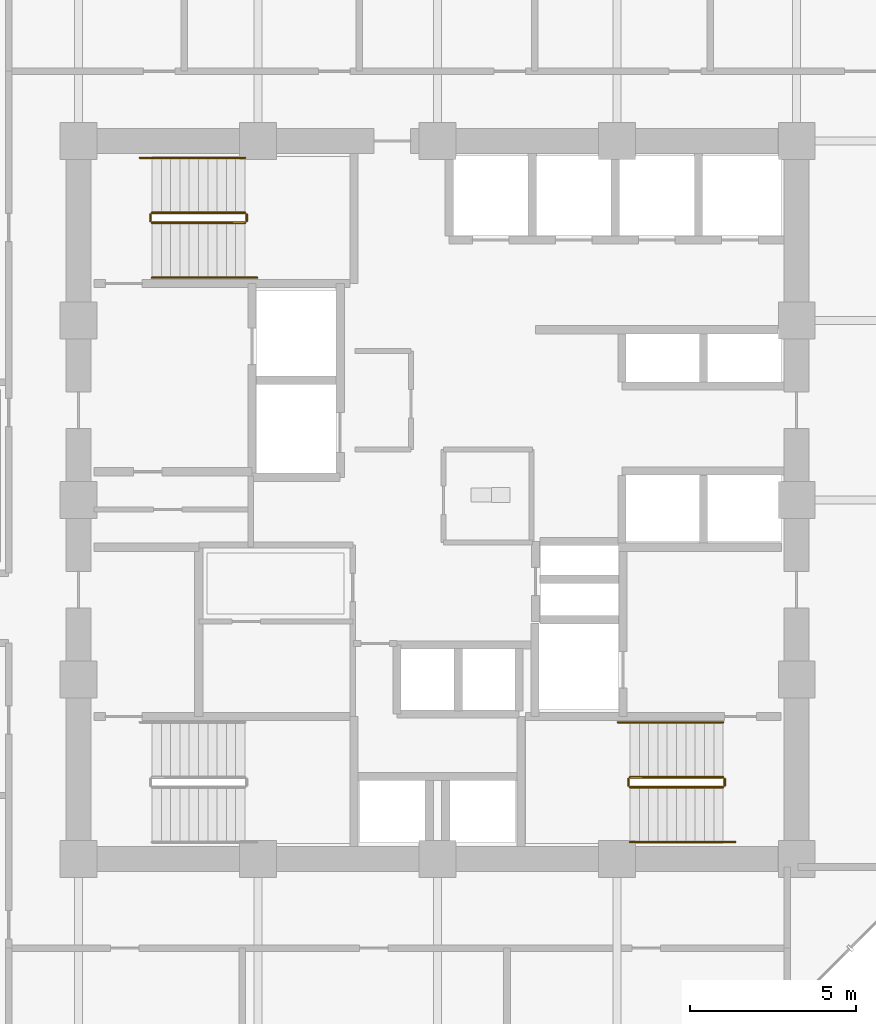
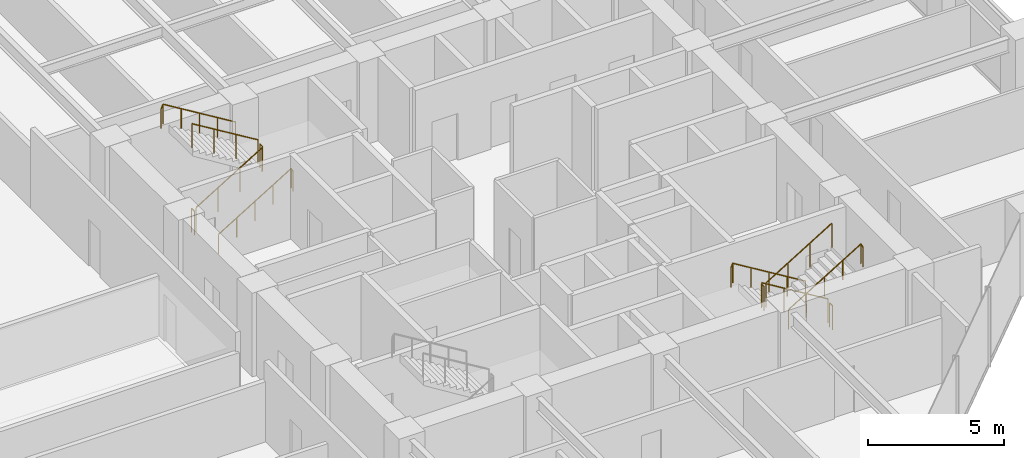
# One storey, part 24 of 25: 12 railings.
"""IFC4 building model written with IfcOpenShell, lengths in metres."""

from ifc_helpers import new_model, si_unit, direction, frame, origin, origin_2d, place, context, subcontext, project, spatial, circle, extrude, material, type_object, element, save


model = new_model("IFC4")

# Units and contexts
model_context = context("Model", 3, precision=1e-05, world=origin(), true_north=direction((0.0, 1.0)))
body_context = subcontext(model_context, "Body", "Model", "MODEL_VIEW")
ifc_project = project(units=[si_unit("LENGTHUNIT", "METRE"), si_unit("AREAUNIT", "SQUARE_METRE"), si_unit("VOLUMEUNIT", "CUBIC_METRE"), si_unit("PLANEANGLEUNIT", "RADIAN"), si_unit("MASSUNIT", "GRAM", prefix="KILO")], contexts=[model_context])

# Site, building, storey
site_placement = place(None, origin())
site = spatial("IfcSite", under=ifc_project, at=site_placement, CompositionType="ELEMENT")
building_placement = place(site_placement, origin())
building = spatial("IfcBuilding", under=site, at=building_placement, Name="Surkhivell Harbour Commons", CompositionType="ELEMENT")
storey_placement = place(building_placement, frame((0.0, 0.0, 117.0)))
storey = spatial("IfcBuildingStorey", under=building, at=storey_placement, Name="L30", CompositionType="ELEMENT", Elevation=117.0)

# Railings
ifc_material_1 = material(Name="Galvanised and painted steel S355 guard rail", Category="steel")
railing_type_1 = type_object("IfcRailingType", Name="RAL-ST-GRD1100", PredefinedType="GUARDRAIL", material=ifc_material_1)
railing_1_placement = place(storey_placement, frame((-8.590087890625, 8.340087890625, 0.17041015625)))
element("IfcRailing", 1, at=railing_1_placement, inside=storey, type_object=railing_type_1, Name="L30 ST1 stair guard 1", PredefinedType="GUARDRAIL", context=body_context, shape_type="SweptSolid", body=[
    extrude(circle(Radius=0.02392578125, at=origin_2d()), frame((0.0, 0.0, 1.076171875), z_axis=(0.854169791009, 0.0, 0.51999420009), x_axis=(0.0, 1.0, 0.0)), (0.0, 0.0, 1.0), 3.278076171875),
    extrude(circle(Radius=0.02099609375, at=origin_2d()), origin(), (0.0, 0.0, 1.0), 1.052001953125),
    extrude(circle(Radius=0.02099609375, at=origin_2d()), frame((0.933349609375, 0.0, 0.568115234375)), (0.0, 0.0, 1.0), 1.052001953125),
    extrude(circle(Radius=0.02099609375, at=origin_2d()), frame((1.86669921875, 0.0, 1.136474609375)), (0.0, 0.0, 1.0), 1.052001953125),
    extrude(circle(Radius=0.02099609375, at=origin_2d()), frame((2.800048828125, 0.0, 1.70458984375)), (0.0, 0.0, 1.0), 1.052001953125),
])
railing_2_placement = place(storey_placement, frame((-5.739990234375, 8.389892578125, 1.875)))
element("IfcRailing", 2, at=railing_2_placement, inside=storey, type_object=railing_type_1, Name="L30 ST1 stair guard 2", PredefinedType="GUARDRAIL", context=body_context, shape_type="SweptSolid", body=[
    extrude(circle(Radius=0.02392578125, at=origin_2d()), frame((0.0, 0.0, 1.076171875), z_axis=(0.0, 1.0, 0.0), x_axis=(-1.0, 0.0, 0.0)), (0.0, 0.0, 1.0), 0.2001953125),
    extrude(circle(Radius=0.02099609375, at=origin_2d()), origin(), (0.0, 0.0, 1.0), 1.052001953125),
    extrude(circle(Radius=0.02099609375, at=origin_2d()), frame((0.0, 0.2001953125, 0.0)), (0.0, 0.0, 1.0), 1.052001953125),
])
railing_3_placement = place(storey_placement, frame((-5.7900390625, 8.639892578125, 2.04541015625)))
element("IfcRailing", 3, at=railing_3_placement, inside=storey, type_object=railing_type_1, Name="L30 ST1 stair guard 3", PredefinedType="GUARDRAIL", context=body_context, shape_type="SweptSolid", body=[
    extrude(circle(Radius=0.02392578125, at=origin_2d()), frame((0.0, 0.0, 1.076171875), z_axis=(-0.854169791009, 0.0, 0.51999420009), x_axis=(0.0, -1.0, 0.0)), (0.0, 0.0, 1.0), 3.278076171875),
    extrude(circle(Radius=0.02099609375, at=origin_2d()), origin(), (0.0, 0.0, 1.0), 1.052001953125),
    extrude(circle(Radius=0.02099609375, at=origin_2d()), frame((-0.933349609375, 0.0, 0.568115234375)), (0.0, 0.0, 1.0), 1.052001953125),
    extrude(circle(Radius=0.02099609375, at=origin_2d()), frame((-1.86669921875, 0.0, 1.136474609375)), (0.0, 0.0, 1.0), 1.052001953125),
    extrude(circle(Radius=0.02099609375, at=origin_2d()), frame((-2.800048828125, 0.0, 1.70458984375)), (0.0, 0.0, 1.0), 1.052001953125),
])
railing_4_placement = place(storey_placement, frame((-8.639892578125, 8.389892578125, 0.0)))
element("IfcRailing", 4, at=railing_4_placement, inside=storey, type_object=railing_type_1, Name="L30 ST1 stair guard 4", PredefinedType="GUARDRAIL", context=body_context, shape_type="SweptSolid", body=[
    extrude(circle(Radius=0.02392578125, at=origin_2d()), frame((0.0, 0.0, 1.076171875), z_axis=(0.0, 1.0, 0.0), x_axis=(-1.0, 0.0, 0.0)), (0.0, 0.0, 1.0), 0.2001953125),
    extrude(circle(Radius=0.02099609375, at=origin_2d()), origin(), (0.0, 0.0, 1.0), 1.052001953125),
    extrude(circle(Radius=0.02099609375, at=origin_2d()), frame((0.0, 0.2001953125, 0.0)), (0.0, 0.0, 1.0), 1.052001953125),
])
railing_5_placement = place(storey_placement, frame((8.590087890625, -8.340087890625, 0.17041015625)))
element("IfcRailing", 5, at=railing_5_placement, inside=storey, type_object=railing_type_1, Name="L30 ST2 stair guard 1", PredefinedType="GUARDRAIL", context=body_context, shape_type="SweptSolid", body=[
    extrude(circle(Radius=0.02392578125, at=origin_2d()), frame((0.0, 0.0, 1.076171875), z_axis=(-0.854169791009, 0.0, 0.51999420009), x_axis=(0.0, -1.0, 0.0)), (0.0, 0.0, 1.0), 3.278076171875),
    extrude(circle(Radius=0.02099609375, at=origin_2d()), origin(), (0.0, 0.0, 1.0), 1.052001953125),
    extrude(circle(Radius=0.02099609375, at=origin_2d()), frame((-0.933349609375, 0.0, 0.568115234375)), (0.0, 0.0, 1.0), 1.052001953125),
    extrude(circle(Radius=0.02099609375, at=origin_2d()), frame((-1.86669921875, 0.0, 1.136474609375)), (0.0, 0.0, 1.0), 1.052001953125),
    extrude(circle(Radius=0.02099609375, at=origin_2d()), frame((-2.800048828125, 0.0, 1.70458984375)), (0.0, 0.0, 1.0), 1.052001953125),
])
railing_6_placement = place(storey_placement, frame((5.739990234375, -8.389892578125, 1.875)))
element("IfcRailing", 6, at=railing_6_placement, inside=storey, type_object=railing_type_1, Name="L30 ST2 stair guard 2", PredefinedType="GUARDRAIL", context=body_context, shape_type="SweptSolid", body=[
    extrude(circle(Radius=0.02392578125, at=origin_2d()), frame((0.0, 0.0, 1.076171875), z_axis=(0.0, -1.0, 0.0), x_axis=(1.0, 0.0, 0.0)), (0.0, 0.0, 1.0), 0.2001953125),
    extrude(circle(Radius=0.02099609375, at=origin_2d()), origin(), (0.0, 0.0, 1.0), 1.052001953125),
    extrude(circle(Radius=0.02099609375, at=origin_2d()), frame((0.0, -0.2001953125, 0.0)), (0.0, 0.0, 1.0), 1.052001953125),
])
railing_7_placement = place(storey_placement, frame((5.7900390625, -8.639892578125, 2.04541015625)))
element("IfcRailing", 7, at=railing_7_placement, inside=storey, type_object=railing_type_1, Name="L30 ST2 stair guard 3", PredefinedType="GUARDRAIL", context=body_context, shape_type="SweptSolid", body=[
    extrude(circle(Radius=0.02392578125, at=origin_2d()), frame((0.0, 0.0, 1.076171875), z_axis=(0.854169791009, 0.0, 0.51999420009), x_axis=(0.0, 1.0, 0.0)), (0.0, 0.0, 1.0), 3.278076171875),
    extrude(circle(Radius=0.02099609375, at=origin_2d()), origin(), (0.0, 0.0, 1.0), 1.052001953125),
    extrude(circle(Radius=0.02099609375, at=origin_2d()), frame((0.933349609375, 0.0, 0.568115234375)), (0.0, 0.0, 1.0), 1.052001953125),
    extrude(circle(Radius=0.02099609375, at=origin_2d()), frame((1.86669921875, 0.0, 1.136474609375)), (0.0, 0.0, 1.0), 1.052001953125),
    extrude(circle(Radius=0.02099609375, at=origin_2d()), frame((2.800048828125, 0.0, 1.70458984375)), (0.0, 0.0, 1.0), 1.052001953125),
])
railing_8_placement = place(storey_placement, frame((8.639892578125, -8.389892578125, 0.0)))
element("IfcRailing", 8, at=railing_8_placement, inside=storey, type_object=railing_type_1, Name="L30 ST2 stair guard 4", PredefinedType="GUARDRAIL", context=body_context, shape_type="SweptSolid", body=[
    extrude(circle(Radius=0.02392578125, at=origin_2d()), frame((0.0, 0.0, 1.076171875), z_axis=(0.0, -1.0, 0.0), x_axis=(1.0, 0.0, 0.0)), (0.0, 0.0, 1.0), 0.2001953125),
    extrude(circle(Radius=0.02099609375, at=origin_2d()), origin(), (0.0, 0.0, 1.0), 1.052001953125),
    extrude(circle(Radius=0.02099609375, at=origin_2d()), frame((0.0, -0.2001953125, 0.0)), (0.0, 0.0, 1.0), 1.052001953125),
])
ifc_material_2 = material(Name="Brushed stainless steel S355 handrail", Category="steel")
railing_type_2 = type_object("IfcRailingType", Name="RAL-ST-HND900", PredefinedType="HANDRAIL", material=ifc_material_2)
railing_9_placement = place(storey_placement, frame((-8.590087890625, 6.68994140625, 0.17041015625)))
element("IfcRailing", 9, at=railing_9_placement, inside=storey, type_object=railing_type_2, Name="L30 ST1 stair handrail 1", PredefinedType="HANDRAIL", context=body_context, shape_type="SweptSolid", body=[
    extrude(circle(Radius=0.02392578125, at=origin_2d()), frame((0.0, 0.0, 0.8759765625), z_axis=(0.854177636135, 0.0, 0.519981313056), x_axis=(0.0, 1.0, 0.0)), (0.0, 0.0, 1.0), 3.60595703125),
    extrude(circle(Radius=0.02392578125, at=origin_2d()), frame((3.080078125, 0.0, 2.7509765625), z_axis=(0.425297416671, 0.0, -0.905053648892), x_axis=(0.0, 1.0, 0.0)), (0.0, 0.0, 1.0), 0.188232421875),
    extrude(circle(Radius=0.02099609375, at=origin_2d()), origin(), (0.0, 0.0, 1.0), 0.851806640625),
    extrude(circle(Radius=0.02099609375, at=origin_2d()), frame((0.77001953125, 0.0, 0.46875)), (0.0, 0.0, 1.0), 0.851806640625),
    extrude(circle(Radius=0.02099609375, at=origin_2d()), frame((1.5400390625, 0.0, 0.9375)), (0.0, 0.0, 1.0), 0.851806640625),
    extrude(circle(Radius=0.02099609375, at=origin_2d()), frame((2.31005859375, 0.0, 1.40625)), (0.0, 0.0, 1.0), 0.851806640625),
    extrude(circle(Radius=0.02099609375, at=origin_2d()), frame((3.080078125, 0.0, 1.875)), (0.0, 0.0, 1.0), 0.851806640625),
    extrude(circle(Radius=0.02099609375, at=origin_2d()), frame((3.16015625, 0.0, 1.70458984375)), (0.0, 0.0, 1.0), 0.851806640625),
])
railing_10_placement = place(storey_placement, frame((-5.7900390625, 10.2900390625, 2.04541015625)))
element("IfcRailing", 10, at=railing_10_placement, inside=storey, type_object=railing_type_2, Name="L30 ST1 stair handrail 2", PredefinedType="HANDRAIL", context=body_context, shape_type="SweptSolid", body=[
    extrude(circle(Radius=0.02392578125, at=origin_2d()), frame((0.0, 0.0, 0.8759765625), z_axis=(-0.854177636135, 0.0, 0.519981313056), x_axis=(0.0, -1.0, 0.0)), (0.0, 0.0, 1.0), 3.60595703125),
    extrude(circle(Radius=0.02392578125, at=origin_2d()), frame((-3.080078125, 0.0, 2.7509765625), z_axis=(-0.424234432967, 0.0, -0.905552398199), x_axis=(0.0, -1.0, 0.0)), (0.0, 0.0, 1.0), 0.188232421875),
    extrude(circle(Radius=0.02099609375, at=origin_2d()), origin(), (0.0, 0.0, 1.0), 0.851806640625),
    extrude(circle(Radius=0.02099609375, at=origin_2d()), frame((-0.77001953125, 0.0, 0.46875)), (0.0, 0.0, 1.0), 0.851806640625),
    extrude(circle(Radius=0.02099609375, at=origin_2d()), frame((-1.5400390625, 0.0, 0.9375)), (0.0, 0.0, 1.0), 0.851806640625),
    extrude(circle(Radius=0.02099609375, at=origin_2d()), frame((-2.31005859375, 0.0, 1.40625)), (0.0, 0.0, 1.0), 0.851806640625),
    extrude(circle(Radius=0.02099609375, at=origin_2d()), frame((-3.080078125, 0.0, 1.875)), (0.0, 0.0, 1.0), 0.851806640625),
    extrude(circle(Radius=0.02099609375, at=origin_2d()), frame((-3.159912109375, 0.0, 1.70458984375)), (0.0, 0.0, 1.0), 0.851806640625),
])
railing_11_placement = place(storey_placement, frame((8.590087890625, -6.68994140625, 0.17041015625)))
element("IfcRailing", 11, at=railing_11_placement, inside=storey, type_object=railing_type_2, Name="L30 ST2 stair handrail 1", PredefinedType="HANDRAIL", context=body_context, shape_type="SweptSolid", body=[
    extrude(circle(Radius=0.02392578125, at=origin_2d()), frame((0.0, 0.0, 0.8759765625), z_axis=(-0.854177636135, 0.0, 0.519981313056), x_axis=(0.0, -1.0, 0.0)), (0.0, 0.0, 1.0), 3.60595703125),
    extrude(circle(Radius=0.02392578125, at=origin_2d()), frame((-3.080078125, 0.0, 2.7509765625), z_axis=(-0.425297416671, 0.0, -0.905053648892), x_axis=(0.0, -1.0, 0.0)), (0.0, 0.0, 1.0), 0.188232421875),
    extrude(circle(Radius=0.02099609375, at=origin_2d()), origin(), (0.0, 0.0, 1.0), 0.851806640625),
    extrude(circle(Radius=0.02099609375, at=origin_2d()), frame((-0.77001953125, 0.0, 0.46875)), (0.0, 0.0, 1.0), 0.851806640625),
    extrude(circle(Radius=0.02099609375, at=origin_2d()), frame((-1.5400390625, 0.0, 0.9375)), (0.0, 0.0, 1.0), 0.851806640625),
    extrude(circle(Radius=0.02099609375, at=origin_2d()), frame((-2.31005859375, 0.0, 1.40625)), (0.0, 0.0, 1.0), 0.851806640625),
    extrude(circle(Radius=0.02099609375, at=origin_2d()), frame((-3.080078125, 0.0, 1.875)), (0.0, 0.0, 1.0), 0.851806640625),
    extrude(circle(Radius=0.02099609375, at=origin_2d()), frame((-3.16015625, 0.0, 1.70458984375)), (0.0, 0.0, 1.0), 0.851806640625),
])
railing_12_placement = place(storey_placement, frame((5.7900390625, -10.2900390625, 2.04541015625)))
element("IfcRailing", 12, at=railing_12_placement, inside=storey, type_object=railing_type_2, Name="L30 ST2 stair handrail 2", PredefinedType="HANDRAIL", context=body_context, shape_type="SweptSolid", body=[
    extrude(circle(Radius=0.02392578125, at=origin_2d()), frame((0.0, 0.0, 0.8759765625), z_axis=(0.854177636135, 0.0, 0.519981313056), x_axis=(0.0, 1.0, 0.0)), (0.0, 0.0, 1.0), 3.60595703125),
    extrude(circle(Radius=0.02392578125, at=origin_2d()), frame((3.080078125, 0.0, 2.7509765625), z_axis=(0.424234432967, 0.0, -0.905552398199), x_axis=(0.0, 1.0, 0.0)), (0.0, 0.0, 1.0), 0.188232421875),
    extrude(circle(Radius=0.02099609375, at=origin_2d()), origin(), (0.0, 0.0, 1.0), 0.851806640625),
    extrude(circle(Radius=0.02099609375, at=origin_2d()), frame((0.77001953125, 0.0, 0.46875)), (0.0, 0.0, 1.0), 0.851806640625),
    extrude(circle(Radius=0.02099609375, at=origin_2d()), frame((1.5400390625, 0.0, 0.9375)), (0.0, 0.0, 1.0), 0.851806640625),
    extrude(circle(Radius=0.02099609375, at=origin_2d()), frame((2.31005859375, 0.0, 1.40625)), (0.0, 0.0, 1.0), 0.851806640625),
    extrude(circle(Radius=0.02099609375, at=origin_2d()), frame((3.080078125, 0.0, 1.875)), (0.0, 0.0, 1.0), 0.851806640625),
    extrude(circle(Radius=0.02099609375, at=origin_2d()), frame((3.159912109375, 0.0, 1.70458984375)), (0.0, 0.0, 1.0), 0.851806640625),
])

save(model, "model.ifc")
